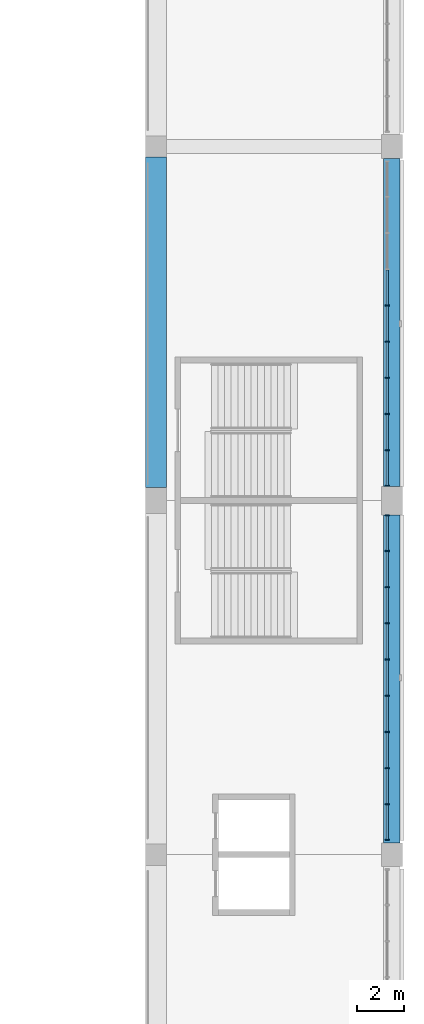
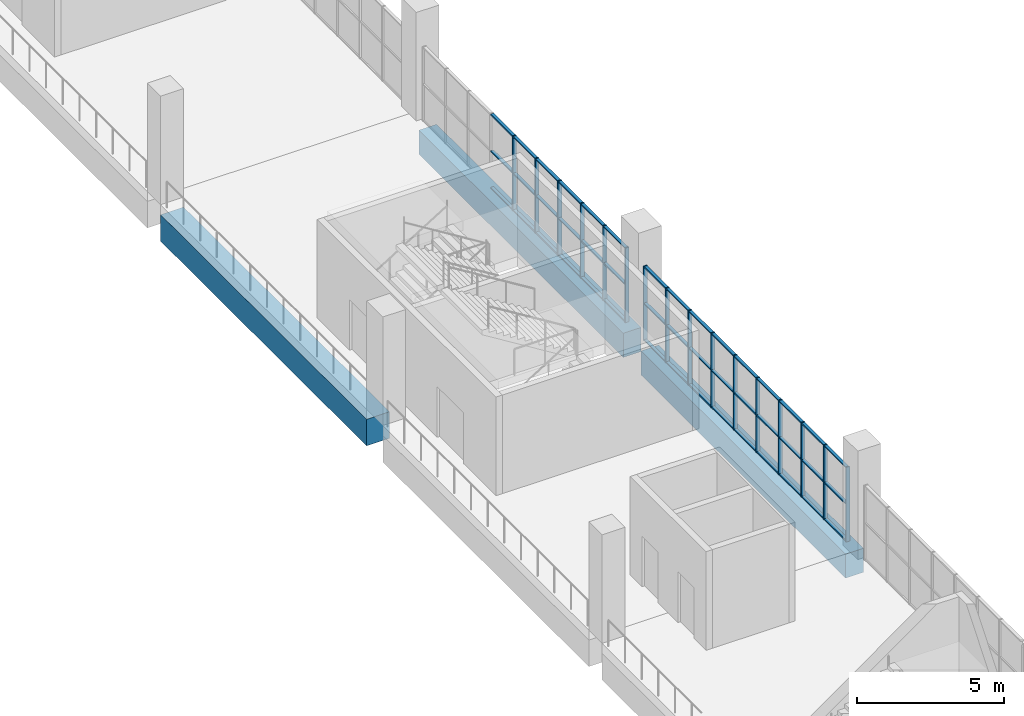
# One storey, part 25 of 177: 61 members, 3 beams, 2 elements without a shape of their own.
"""IFC4 building model written with IfcOpenShell, lengths in metres."""

from ifc_helpers import new_model, si_unit, direction, frame, origin, origin_2d, place, context, subcontext, project, spatial, rectangle, extrude, material, material_profile, profile_set, type_object, element, aggregate, save


model = new_model("IFC4")

# Units and contexts
model_context = context("Model", 3, precision=1e-05, world=origin(), true_north=direction((0.0, 1.0)))
body_context = subcontext(model_context, "Body", "Model", "MODEL_VIEW")
ifc_project = project(units=[si_unit("LENGTHUNIT", "METRE"), si_unit("AREAUNIT", "SQUARE_METRE"), si_unit("VOLUMEUNIT", "CUBIC_METRE"), si_unit("PLANEANGLEUNIT", "RADIAN"), si_unit("MASSUNIT", "GRAM", prefix="KILO")], contexts=[model_context])

# Site, building, storey
site_placement = place(None, origin())
site = spatial("IfcSite", under=ifc_project, at=site_placement, CompositionType="ELEMENT")
building_placement = place(site_placement, origin())
building = spatial("IfcBuilding", under=site, at=building_placement, Name="Ogive Plaza Stadium", CompositionType="ELEMENT")
storey_placement = place(building_placement, frame((0.0, 0.0, 18.0)))
storey = spatial("IfcBuildingStorey", under=building, at=storey_placement, Name="L04", CompositionType="ELEMENT", Elevation=18.0)

# Curtain wall, members
ifc_material_1 = material(Name="Bronze-anodised aluminium with laminated glass", Category="aluminium")
curtain_wall_type = type_object("IfcCurtainWallType", Name="Lancet curtain wall", PredefinedType="NOTDEFINED", material=ifc_material_1)
curtain_wall_1_placement = place(storey_placement, origin())
curtain_wall_1 = element("IfcCurtainWall", 1, at=curtain_wall_1_placement, inside=storey, type_object=curtain_wall_type, Name="CURTAIN WALL B03 L04", PredefinedType="NOTDEFINED")
ifc_material_2 = material(Name="Bronze-anodised aluminium", Category="aluminium")
ifc_material_profile_1 = material_profile(ifc_material_2, rectangle(XDim=0.14990234375, YDim=0.050048828125, at=origin_2d()), Name="AL 150x50")
ifc_profile_set_1 = profile_set([ifc_material_profile_1], Name="Bronze-anodised aluminium")
member_type_1 = type_object("IfcMemberType", Name="Curtain wall mullion 50x150", PredefinedType="MULLION", material=ifc_profile_set_1)
member_1_placement = place(storey_placement, frame((83.800048828125, 15.7666015625, 0.0), z_axis=(0.0, 0.0, 1.0), x_axis=(1.0, 0.0, 0.0)))
member_1 = element("IfcMember", 2, at=member_1_placement, type_object=member_type_1, Name="CW-B03-L04 mullion 5", PredefinedType="MULLION", context=body_context, shape_type="SweptSolid", body=[
    extrude(rectangle(XDim=0.14990234375, YDim=0.050048828125, at=origin_2d()), origin(), (0.0, 0.0, 1.0), 3.090087890625),
])
member_2_placement = place(storey_placement, frame((83.800048828125, 14.2333984375, 0.0), z_axis=(0.0, 0.0, 1.0), x_axis=(1.0, 0.0, 0.0)))
member_2 = element("IfcMember", 3, at=member_2_placement, type_object=member_type_1, Name="CW-B03-L04 mullion 6", PredefinedType="MULLION", context=body_context, shape_type="SweptSolid", body=[
    extrude(rectangle(XDim=0.14990234375, YDim=0.050048828125, at=origin_2d()), origin(), (0.0, 0.0, 1.0), 3.090087890625),
])
member_3_placement = place(storey_placement, frame((83.800048828125, 12.699951171875, 0.0), z_axis=(0.0, 0.0, 1.0), x_axis=(1.0, 0.0, 0.0)))
member_3 = element("IfcMember", 4, at=member_3_placement, type_object=member_type_1, Name="CW-B03-L04 mullion 7", PredefinedType="MULLION", context=body_context, shape_type="SweptSolid", body=[
    extrude(rectangle(XDim=0.14990234375, YDim=0.050048828125, at=origin_2d()), origin(), (0.0, 0.0, 1.0), 3.090087890625),
])
member_4_placement = place(storey_placement, frame((83.800048828125, 11.166748046875, 0.0), z_axis=(0.0, 0.0, 1.0), x_axis=(1.0, 0.0, 0.0)))
member_4 = element("IfcMember", 5, at=member_4_placement, type_object=member_type_1, Name="CW-B03-L04 mullion 8", PredefinedType="MULLION", context=body_context, shape_type="SweptSolid", body=[
    extrude(rectangle(XDim=0.14990234375, YDim=0.050048828125, at=origin_2d()), origin(), (0.0, 0.0, 1.0), 3.090087890625),
])
member_5_placement = place(storey_placement, frame((83.800048828125, 9.63330078125, 0.0), z_axis=(0.0, 0.0, 1.0), x_axis=(1.0, 0.0, 0.0)))
member_5 = element("IfcMember", 6, at=member_5_placement, type_object=member_type_1, Name="CW-B03-L04 mullion 9", PredefinedType="MULLION", context=body_context, shape_type="SweptSolid", body=[
    extrude(rectangle(XDim=0.14990234375, YDim=0.050048828125, at=origin_2d()), origin(), (0.0, 0.0, 1.0), 3.090087890625),
])
member_6_placement = place(storey_placement, frame((83.800048828125, 8.125, 0.0), z_axis=(0.0, 0.0, 1.0), x_axis=(1.0, 0.0, 0.0)))
member_6 = element("IfcMember", 7, at=member_6_placement, type_object=member_type_1, Name="CW-B03-L04 mullion 10", PredefinedType="MULLION", context=body_context, shape_type="SweptSolid", body=[
    extrude(rectangle(XDim=0.14990234375, YDim=0.050048828125, at=origin_2d()), origin(), (0.0, 0.0, 1.0), 3.090087890625),
])

curtain_wall_2_placement = place(storey_placement, origin())
curtain_wall_2 = element("IfcCurtainWall", 8, at=curtain_wall_2_placement, inside=storey, type_object=curtain_wall_type, Name="CURTAIN WALL B04 L04", PredefinedType="NOTDEFINED")
member_7_placement = place(storey_placement, frame((83.800048828125, 6.875, 0.0), z_axis=(0.0, 0.0, 1.0), x_axis=(1.0, 0.0, 0.0)))
member_7 = element("IfcMember", 9, at=member_7_placement, type_object=member_type_1, Name="CW-B04-L04 mullion 1", PredefinedType="MULLION", context=body_context, shape_type="SweptSolid", body=[
    extrude(rectangle(XDim=0.14990234375, YDim=0.050048828125, at=origin_2d()), origin(), (0.0, 0.0, 1.0), 3.090087890625),
])
member_8_placement = place(storey_placement, frame((83.800048828125, 5.36669921875, 0.0), z_axis=(0.0, 0.0, 1.0), x_axis=(1.0, 0.0, 0.0)))
member_8 = element("IfcMember", 10, at=member_8_placement, type_object=member_type_1, Name="CW-B04-L04 mullion 2", PredefinedType="MULLION", context=body_context, shape_type="SweptSolid", body=[
    extrude(rectangle(XDim=0.14990234375, YDim=0.050048828125, at=origin_2d()), origin(), (0.0, 0.0, 1.0), 3.090087890625),
])
member_9_placement = place(storey_placement, frame((83.800048828125, 3.833251953125, 0.0), z_axis=(0.0, 0.0, 1.0), x_axis=(1.0, 0.0, 0.0)))
member_9 = element("IfcMember", 11, at=member_9_placement, type_object=member_type_1, Name="CW-B04-L04 mullion 3", PredefinedType="MULLION", context=body_context, shape_type="SweptSolid", body=[
    extrude(rectangle(XDim=0.14990234375, YDim=0.050048828125, at=origin_2d()), origin(), (0.0, 0.0, 1.0), 3.090087890625),
])
member_10_placement = place(storey_placement, frame((83.800048828125, 2.300048828125, 0.0), z_axis=(0.0, 0.0, 1.0), x_axis=(1.0, 0.0, 0.0)))
member_10 = element("IfcMember", 12, at=member_10_placement, type_object=member_type_1, Name="CW-B04-L04 mullion 4", PredefinedType="MULLION", context=body_context, shape_type="SweptSolid", body=[
    extrude(rectangle(XDim=0.14990234375, YDim=0.050048828125, at=origin_2d()), origin(), (0.0, 0.0, 1.0), 3.090087890625),
])
member_11_placement = place(storey_placement, frame((83.800048828125, 0.7666015625, 0.0), z_axis=(0.0, 0.0, 1.0), x_axis=(1.0, 0.0, 0.0)))
member_11 = element("IfcMember", 13, at=member_11_placement, type_object=member_type_1, Name="CW-B04-L04 mullion 5", PredefinedType="MULLION", context=body_context, shape_type="SweptSolid", body=[
    extrude(rectangle(XDim=0.14990234375, YDim=0.050048828125, at=origin_2d()), origin(), (0.0, 0.0, 1.0), 3.090087890625),
])
member_12_placement = place(storey_placement, frame((83.800048828125, -0.7666015625, 0.0), z_axis=(0.0, 0.0, 1.0), x_axis=(1.0, 0.0, 0.0)))
member_12 = element("IfcMember", 14, at=member_12_placement, type_object=member_type_1, Name="CW-B04-L04 mullion 6", PredefinedType="MULLION", context=body_context, shape_type="SweptSolid", body=[
    extrude(rectangle(XDim=0.14990234375, YDim=0.050048828125, at=origin_2d()), origin(), (0.0, 0.0, 1.0), 3.090087890625),
])
member_13_placement = place(storey_placement, frame((83.800048828125, -2.300048828125, 0.0), z_axis=(0.0, 0.0, 1.0), x_axis=(1.0, 0.0, 0.0)))
member_13 = element("IfcMember", 15, at=member_13_placement, type_object=member_type_1, Name="CW-B04-L04 mullion 7", PredefinedType="MULLION", context=body_context, shape_type="SweptSolid", body=[
    extrude(rectangle(XDim=0.14990234375, YDim=0.050048828125, at=origin_2d()), origin(), (0.0, 0.0, 1.0), 3.090087890625),
])
member_14_placement = place(storey_placement, frame((83.800048828125, -3.833251953125, 0.0), z_axis=(0.0, 0.0, 1.0), x_axis=(1.0, 0.0, 0.0)))
member_14 = element("IfcMember", 16, at=member_14_placement, type_object=member_type_1, Name="CW-B04-L04 mullion 8", PredefinedType="MULLION", context=body_context, shape_type="SweptSolid", body=[
    extrude(rectangle(XDim=0.14990234375, YDim=0.050048828125, at=origin_2d()), origin(), (0.0, 0.0, 1.0), 3.090087890625),
])
member_15_placement = place(storey_placement, frame((83.800048828125, -5.36669921875, 0.0), z_axis=(0.0, 0.0, 1.0), x_axis=(1.0, 0.0, 0.0)))
member_15 = element("IfcMember", 17, at=member_15_placement, type_object=member_type_1, Name="CW-B04-L04 mullion 9", PredefinedType="MULLION", context=body_context, shape_type="SweptSolid", body=[
    extrude(rectangle(XDim=0.14990234375, YDim=0.050048828125, at=origin_2d()), origin(), (0.0, 0.0, 1.0), 3.090087890625),
])
member_16_placement = place(storey_placement, frame((83.800048828125, -6.875, 0.0), z_axis=(0.0, 0.0, 1.0), x_axis=(1.0, 0.0, 0.0)))
member_16 = element("IfcMember", 18, at=member_16_placement, type_object=member_type_1, Name="CW-B04-L04 mullion 10", PredefinedType="MULLION", context=body_context, shape_type="SweptSolid", body=[
    extrude(rectangle(XDim=0.14990234375, YDim=0.050048828125, at=origin_2d()), origin(), (0.0, 0.0, 1.0), 3.090087890625),
])

# Member
ifc_material_3 = material(Name="Bronze-anodised aluminium", Category="aluminium")
ifc_material_profile_2 = material_profile(ifc_material_3, rectangle(XDim=0.1201171875, YDim=0.050048828125, at=origin_2d()), Name="AL 120x50")
ifc_profile_set_2 = profile_set([ifc_material_profile_2], Name="Bronze-anodised aluminium")
member_type_2 = type_object("IfcMemberType", Name="Curtain wall transom 50x120", PredefinedType="USERDEFINED", material=ifc_profile_set_2)
member_17_placement = place(storey_placement, frame((83.800048828125, 17.27490234375, 0.02490234375), z_axis=(0.0, -1.0, 0.0), x_axis=(1.0, 0.0, 0.0)))
member_17 = element("IfcMember", 19, at=member_17_placement, type_object=member_type_2, Name="CW-B03-L04 transom 4.1", ObjectType="TRANSOM", PredefinedType="USERDEFINED", context=body_context, shape_type="SweptSolid", body=[
    extrude(rectangle(XDim=0.1201171875, YDim=0.050048828125, at=origin_2d()), origin(), (0.0, 0.0, 1.0), 1.483154296875),
])

member_18_placement = place(storey_placement, frame((83.800048828125, 17.27490234375, 1.544921875), z_axis=(0.0, -1.0, 0.0), x_axis=(1.0, 0.0, 0.0)))
member_18 = element("IfcMember", 20, at=member_18_placement, type_object=member_type_2, Name="CW-B03-L04 transom 4.2", ObjectType="TRANSOM", PredefinedType="USERDEFINED", context=body_context, shape_type="SweptSolid", body=[
    extrude(rectangle(XDim=0.1201171875, YDim=0.050048828125, at=origin_2d()), origin(), (0.0, 0.0, 1.0), 1.483154296875),
])

member_19_placement = place(storey_placement, frame((83.800048828125, 17.27490234375, 3.06494140625), z_axis=(0.0, -1.0, 0.0), x_axis=(1.0, 0.0, 0.0)))
member_19 = element("IfcMember", 21, at=member_19_placement, type_object=member_type_2, Name="CW-B03-L04 transom 4.3", ObjectType="TRANSOM", PredefinedType="USERDEFINED", context=body_context, shape_type="SweptSolid", body=[
    extrude(rectangle(XDim=0.1201171875, YDim=0.050048828125, at=origin_2d()), origin(), (0.0, 0.0, 1.0), 1.483154296875),
])

member_20_placement = place(storey_placement, frame((83.800048828125, 15.74169921875, 0.02490234375), z_axis=(0.0, -1.0, 0.0), x_axis=(1.0, 0.0, 0.0)))
member_20 = element("IfcMember", 22, at=member_20_placement, type_object=member_type_2, Name="CW-B03-L04 transom 5.1", ObjectType="TRANSOM", PredefinedType="USERDEFINED", context=body_context, shape_type="SweptSolid", body=[
    extrude(rectangle(XDim=0.1201171875, YDim=0.050048828125, at=origin_2d()), origin(), (0.0, 0.0, 1.0), 1.4833984375),
])

member_21_placement = place(storey_placement, frame((83.800048828125, 15.74169921875, 1.544921875), z_axis=(0.0, -1.0, 0.0), x_axis=(1.0, 0.0, 0.0)))
member_21 = element("IfcMember", 23, at=member_21_placement, type_object=member_type_2, Name="CW-B03-L04 transom 5.2", ObjectType="TRANSOM", PredefinedType="USERDEFINED", context=body_context, shape_type="SweptSolid", body=[
    extrude(rectangle(XDim=0.1201171875, YDim=0.050048828125, at=origin_2d()), origin(), (0.0, 0.0, 1.0), 1.4833984375),
])

member_22_placement = place(storey_placement, frame((83.800048828125, 15.74169921875, 3.06494140625), z_axis=(0.0, -1.0, 0.0), x_axis=(1.0, 0.0, 0.0)))
member_22 = element("IfcMember", 24, at=member_22_placement, type_object=member_type_2, Name="CW-B03-L04 transom 5.3", ObjectType="TRANSOM", PredefinedType="USERDEFINED", context=body_context, shape_type="SweptSolid", body=[
    extrude(rectangle(XDim=0.1201171875, YDim=0.050048828125, at=origin_2d()), origin(), (0.0, 0.0, 1.0), 1.4833984375),
])

member_23_placement = place(storey_placement, frame((83.800048828125, 14.208251953125, 0.02490234375), z_axis=(0.0, -1.0, 0.0), x_axis=(1.0, 0.0, 0.0)))
member_23 = element("IfcMember", 25, at=member_23_placement, type_object=member_type_2, Name="CW-B03-L04 transom 6.1", ObjectType="TRANSOM", PredefinedType="USERDEFINED", context=body_context, shape_type="SweptSolid", body=[
    extrude(rectangle(XDim=0.1201171875, YDim=0.050048828125, at=origin_2d()), origin(), (0.0, 0.0, 1.0), 1.483154296875),
])

member_24_placement = place(storey_placement, frame((83.800048828125, 14.208251953125, 1.544921875), z_axis=(0.0, -1.0, 0.0), x_axis=(1.0, 0.0, 0.0)))
member_24 = element("IfcMember", 26, at=member_24_placement, type_object=member_type_2, Name="CW-B03-L04 transom 6.2", ObjectType="TRANSOM", PredefinedType="USERDEFINED", context=body_context, shape_type="SweptSolid", body=[
    extrude(rectangle(XDim=0.1201171875, YDim=0.050048828125, at=origin_2d()), origin(), (0.0, 0.0, 1.0), 1.483154296875),
])

member_25_placement = place(storey_placement, frame((83.800048828125, 14.208251953125, 3.06494140625), z_axis=(0.0, -1.0, 0.0), x_axis=(1.0, 0.0, 0.0)))
member_25 = element("IfcMember", 27, at=member_25_placement, type_object=member_type_2, Name="CW-B03-L04 transom 6.3", ObjectType="TRANSOM", PredefinedType="USERDEFINED", context=body_context, shape_type="SweptSolid", body=[
    extrude(rectangle(XDim=0.1201171875, YDim=0.050048828125, at=origin_2d()), origin(), (0.0, 0.0, 1.0), 1.483154296875),
])

member_26_placement = place(storey_placement, frame((83.800048828125, 12.675048828125, 0.02490234375), z_axis=(0.0, -1.0, 0.0), x_axis=(1.0, 0.0, 0.0)))
member_26 = element("IfcMember", 28, at=member_26_placement, type_object=member_type_2, Name="CW-B03-L04 transom 7.1", ObjectType="TRANSOM", PredefinedType="USERDEFINED", context=body_context, shape_type="SweptSolid", body=[
    extrude(rectangle(XDim=0.1201171875, YDim=0.050048828125, at=origin_2d()), origin(), (0.0, 0.0, 1.0), 1.4833984375),
])

member_27_placement = place(storey_placement, frame((83.800048828125, 12.675048828125, 1.544921875), z_axis=(0.0, -1.0, 0.0), x_axis=(1.0, 0.0, 0.0)))
member_27 = element("IfcMember", 29, at=member_27_placement, type_object=member_type_2, Name="CW-B03-L04 transom 7.2", ObjectType="TRANSOM", PredefinedType="USERDEFINED", context=body_context, shape_type="SweptSolid", body=[
    extrude(rectangle(XDim=0.1201171875, YDim=0.050048828125, at=origin_2d()), origin(), (0.0, 0.0, 1.0), 1.4833984375),
])

member_28_placement = place(storey_placement, frame((83.800048828125, 12.675048828125, 3.06494140625), z_axis=(0.0, -1.0, 0.0), x_axis=(1.0, 0.0, 0.0)))
member_28 = element("IfcMember", 30, at=member_28_placement, type_object=member_type_2, Name="CW-B03-L04 transom 7.3", ObjectType="TRANSOM", PredefinedType="USERDEFINED", context=body_context, shape_type="SweptSolid", body=[
    extrude(rectangle(XDim=0.1201171875, YDim=0.050048828125, at=origin_2d()), origin(), (0.0, 0.0, 1.0), 1.4833984375),
])

member_29_placement = place(storey_placement, frame((83.800048828125, 11.1416015625, 0.02490234375), z_axis=(0.0, -1.0, 0.0), x_axis=(1.0, 0.0, 0.0)))
member_29 = element("IfcMember", 31, at=member_29_placement, type_object=member_type_2, Name="CW-B03-L04 transom 8.1", ObjectType="TRANSOM", PredefinedType="USERDEFINED", context=body_context, shape_type="SweptSolid", body=[
    extrude(rectangle(XDim=0.1201171875, YDim=0.050048828125, at=origin_2d()), origin(), (0.0, 0.0, 1.0), 1.483154296875),
])

member_30_placement = place(storey_placement, frame((83.800048828125, 11.1416015625, 1.544921875), z_axis=(0.0, -1.0, 0.0), x_axis=(1.0, 0.0, 0.0)))
member_30 = element("IfcMember", 32, at=member_30_placement, type_object=member_type_2, Name="CW-B03-L04 transom 8.2", ObjectType="TRANSOM", PredefinedType="USERDEFINED", context=body_context, shape_type="SweptSolid", body=[
    extrude(rectangle(XDim=0.1201171875, YDim=0.050048828125, at=origin_2d()), origin(), (0.0, 0.0, 1.0), 1.483154296875),
])

member_31_placement = place(storey_placement, frame((83.800048828125, 11.1416015625, 3.06494140625), z_axis=(0.0, -1.0, 0.0), x_axis=(1.0, 0.0, 0.0)))
member_31 = element("IfcMember", 33, at=member_31_placement, type_object=member_type_2, Name="CW-B03-L04 transom 8.3", ObjectType="TRANSOM", PredefinedType="USERDEFINED", context=body_context, shape_type="SweptSolid", body=[
    extrude(rectangle(XDim=0.1201171875, YDim=0.050048828125, at=origin_2d()), origin(), (0.0, 0.0, 1.0), 1.483154296875),
])

member_32_placement = place(storey_placement, frame((83.800048828125, 9.6083984375, 0.02490234375), z_axis=(0.0, -1.0, 0.0), x_axis=(1.0, 0.0, 0.0)))
member_32 = element("IfcMember", 34, at=member_32_placement, type_object=member_type_2, Name="CW-B03-L04 transom 9.1", ObjectType="TRANSOM", PredefinedType="USERDEFINED", context=body_context, shape_type="SweptSolid", body=[
    extrude(rectangle(XDim=0.1201171875, YDim=0.050048828125, at=origin_2d()), origin(), (0.0, 0.0, 1.0), 1.45849609375),
])

member_33_placement = place(storey_placement, frame((83.800048828125, 9.6083984375, 1.544921875), z_axis=(0.0, -1.0, 0.0), x_axis=(1.0, 0.0, 0.0)))
member_33 = element("IfcMember", 35, at=member_33_placement, type_object=member_type_2, Name="CW-B03-L04 transom 9.2", ObjectType="TRANSOM", PredefinedType="USERDEFINED", context=body_context, shape_type="SweptSolid", body=[
    extrude(rectangle(XDim=0.1201171875, YDim=0.050048828125, at=origin_2d()), origin(), (0.0, 0.0, 1.0), 1.45849609375),
])

member_34_placement = place(storey_placement, frame((83.800048828125, 9.6083984375, 3.06494140625), z_axis=(0.0, -1.0, 0.0), x_axis=(1.0, 0.0, 0.0)))
member_34 = element("IfcMember", 36, at=member_34_placement, type_object=member_type_2, Name="CW-B03-L04 transom 9.3", ObjectType="TRANSOM", PredefinedType="USERDEFINED", context=body_context, shape_type="SweptSolid", body=[
    extrude(rectangle(XDim=0.1201171875, YDim=0.050048828125, at=origin_2d()), origin(), (0.0, 0.0, 1.0), 1.45849609375),
])

aggregate(curtain_wall_1, [member_1, member_2, member_3, member_4, member_5, member_6, member_17, member_18, member_19, member_20, member_21, member_22, member_23, member_24, member_25, member_26, member_27, member_28, member_29, member_30, member_31, member_32, member_33, member_34])

member_35_placement = place(storey_placement, frame((83.800048828125, 6.85009765625, 0.02490234375), z_axis=(0.0, -1.0, 0.0), x_axis=(1.0, 0.0, 0.0)))
member_35 = element("IfcMember", 37, at=member_35_placement, type_object=member_type_2, Name="CW-B04-L04 transom 1.1", ObjectType="TRANSOM", PredefinedType="USERDEFINED", context=body_context, shape_type="SweptSolid", body=[
    extrude(rectangle(XDim=0.1201171875, YDim=0.050048828125, at=origin_2d()), origin(), (0.0, 0.0, 1.0), 1.45849609375),
])

member_36_placement = place(storey_placement, frame((83.800048828125, 6.85009765625, 1.544921875), z_axis=(0.0, -1.0, 0.0), x_axis=(1.0, 0.0, 0.0)))
member_36 = element("IfcMember", 38, at=member_36_placement, type_object=member_type_2, Name="CW-B04-L04 transom 1.2", ObjectType="TRANSOM", PredefinedType="USERDEFINED", context=body_context, shape_type="SweptSolid", body=[
    extrude(rectangle(XDim=0.1201171875, YDim=0.050048828125, at=origin_2d()), origin(), (0.0, 0.0, 1.0), 1.45849609375),
])

member_37_placement = place(storey_placement, frame((83.800048828125, 6.85009765625, 3.06494140625), z_axis=(0.0, -1.0, 0.0), x_axis=(1.0, 0.0, 0.0)))
member_37 = element("IfcMember", 39, at=member_37_placement, type_object=member_type_2, Name="CW-B04-L04 transom 1.3", ObjectType="TRANSOM", PredefinedType="USERDEFINED", context=body_context, shape_type="SweptSolid", body=[
    extrude(rectangle(XDim=0.1201171875, YDim=0.050048828125, at=origin_2d()), origin(), (0.0, 0.0, 1.0), 1.45849609375),
])

member_38_placement = place(storey_placement, frame((83.800048828125, 5.341552734375, 0.02490234375), z_axis=(0.0, -1.0, 0.0), x_axis=(1.0, 0.0, 0.0)))
member_38 = element("IfcMember", 40, at=member_38_placement, type_object=member_type_2, Name="CW-B04-L04 transom 2.1", ObjectType="TRANSOM", PredefinedType="USERDEFINED", context=body_context, shape_type="SweptSolid", body=[
    extrude(rectangle(XDim=0.1201171875, YDim=0.050048828125, at=origin_2d()), origin(), (0.0, 0.0, 1.0), 1.483154296875),
])

member_39_placement = place(storey_placement, frame((83.800048828125, 5.341552734375, 1.544921875), z_axis=(0.0, -1.0, 0.0), x_axis=(1.0, 0.0, 0.0)))
member_39 = element("IfcMember", 41, at=member_39_placement, type_object=member_type_2, Name="CW-B04-L04 transom 2.2", ObjectType="TRANSOM", PredefinedType="USERDEFINED", context=body_context, shape_type="SweptSolid", body=[
    extrude(rectangle(XDim=0.1201171875, YDim=0.050048828125, at=origin_2d()), origin(), (0.0, 0.0, 1.0), 1.483154296875),
])

member_40_placement = place(storey_placement, frame((83.800048828125, 5.341552734375, 3.06494140625), z_axis=(0.0, -1.0, 0.0), x_axis=(1.0, 0.0, 0.0)))
member_40 = element("IfcMember", 42, at=member_40_placement, type_object=member_type_2, Name="CW-B04-L04 transom 2.3", ObjectType="TRANSOM", PredefinedType="USERDEFINED", context=body_context, shape_type="SweptSolid", body=[
    extrude(rectangle(XDim=0.1201171875, YDim=0.050048828125, at=origin_2d()), origin(), (0.0, 0.0, 1.0), 1.483154296875),
])

member_41_placement = place(storey_placement, frame((83.800048828125, 3.808349609375, 0.02490234375), z_axis=(0.0, -1.0, 0.0), x_axis=(1.0, 0.0, 0.0)))
member_41 = element("IfcMember", 43, at=member_41_placement, type_object=member_type_2, Name="CW-B04-L04 transom 3.1", ObjectType="TRANSOM", PredefinedType="USERDEFINED", context=body_context, shape_type="SweptSolid", body=[
    extrude(rectangle(XDim=0.1201171875, YDim=0.050048828125, at=origin_2d()), origin(), (0.0, 0.0, 1.0), 1.4833984375),
])

member_42_placement = place(storey_placement, frame((83.800048828125, 3.808349609375, 1.544921875), z_axis=(0.0, -1.0, 0.0), x_axis=(1.0, 0.0, 0.0)))
member_42 = element("IfcMember", 44, at=member_42_placement, type_object=member_type_2, Name="CW-B04-L04 transom 3.2", ObjectType="TRANSOM", PredefinedType="USERDEFINED", context=body_context, shape_type="SweptSolid", body=[
    extrude(rectangle(XDim=0.1201171875, YDim=0.050048828125, at=origin_2d()), origin(), (0.0, 0.0, 1.0), 1.4833984375),
])

member_43_placement = place(storey_placement, frame((83.800048828125, 3.808349609375, 3.06494140625), z_axis=(0.0, -1.0, 0.0), x_axis=(1.0, 0.0, 0.0)))
member_43 = element("IfcMember", 45, at=member_43_placement, type_object=member_type_2, Name="CW-B04-L04 transom 3.3", ObjectType="TRANSOM", PredefinedType="USERDEFINED", context=body_context, shape_type="SweptSolid", body=[
    extrude(rectangle(XDim=0.1201171875, YDim=0.050048828125, at=origin_2d()), origin(), (0.0, 0.0, 1.0), 1.4833984375),
])

member_44_placement = place(storey_placement, frame((83.800048828125, 2.27490234375, 0.02490234375), z_axis=(0.0, -1.0, 0.0), x_axis=(1.0, 0.0, 0.0)))
member_44 = element("IfcMember", 46, at=member_44_placement, type_object=member_type_2, Name="CW-B04-L04 transom 4.1", ObjectType="TRANSOM", PredefinedType="USERDEFINED", context=body_context, shape_type="SweptSolid", body=[
    extrude(rectangle(XDim=0.1201171875, YDim=0.050048828125, at=origin_2d()), origin(), (0.0, 0.0, 1.0), 1.483154296875),
])

member_45_placement = place(storey_placement, frame((83.800048828125, 2.27490234375, 1.544921875), z_axis=(0.0, -1.0, 0.0), x_axis=(1.0, 0.0, 0.0)))
member_45 = element("IfcMember", 47, at=member_45_placement, type_object=member_type_2, Name="CW-B04-L04 transom 4.2", ObjectType="TRANSOM", PredefinedType="USERDEFINED", context=body_context, shape_type="SweptSolid", body=[
    extrude(rectangle(XDim=0.1201171875, YDim=0.050048828125, at=origin_2d()), origin(), (0.0, 0.0, 1.0), 1.483154296875),
])

member_46_placement = place(storey_placement, frame((83.800048828125, 2.27490234375, 3.06494140625), z_axis=(0.0, -1.0, 0.0), x_axis=(1.0, 0.0, 0.0)))
member_46 = element("IfcMember", 48, at=member_46_placement, type_object=member_type_2, Name="CW-B04-L04 transom 4.3", ObjectType="TRANSOM", PredefinedType="USERDEFINED", context=body_context, shape_type="SweptSolid", body=[
    extrude(rectangle(XDim=0.1201171875, YDim=0.050048828125, at=origin_2d()), origin(), (0.0, 0.0, 1.0), 1.483154296875),
])

member_47_placement = place(storey_placement, frame((83.800048828125, 0.74169921875, 0.02490234375), z_axis=(0.0, -1.0, 0.0), x_axis=(1.0, 0.0, 0.0)))
member_47 = element("IfcMember", 49, at=member_47_placement, type_object=member_type_2, Name="CW-B04-L04 transom 5.1", ObjectType="TRANSOM", PredefinedType="USERDEFINED", context=body_context, shape_type="SweptSolid", body=[
    extrude(rectangle(XDim=0.1201171875, YDim=0.050048828125, at=origin_2d()), origin(), (0.0, 0.0, 1.0), 1.4833984375),
])

member_48_placement = place(storey_placement, frame((83.800048828125, 0.74169921875, 1.544921875), z_axis=(0.0, -1.0, 0.0), x_axis=(1.0, 0.0, 0.0)))
member_48 = element("IfcMember", 50, at=member_48_placement, type_object=member_type_2, Name="CW-B04-L04 transom 5.2", ObjectType="TRANSOM", PredefinedType="USERDEFINED", context=body_context, shape_type="SweptSolid", body=[
    extrude(rectangle(XDim=0.1201171875, YDim=0.050048828125, at=origin_2d()), origin(), (0.0, 0.0, 1.0), 1.4833984375),
])

member_49_placement = place(storey_placement, frame((83.800048828125, 0.74169921875, 3.06494140625), z_axis=(0.0, -1.0, 0.0), x_axis=(1.0, 0.0, 0.0)))
member_49 = element("IfcMember", 51, at=member_49_placement, type_object=member_type_2, Name="CW-B04-L04 transom 5.3", ObjectType="TRANSOM", PredefinedType="USERDEFINED", context=body_context, shape_type="SweptSolid", body=[
    extrude(rectangle(XDim=0.1201171875, YDim=0.050048828125, at=origin_2d()), origin(), (0.0, 0.0, 1.0), 1.4833984375),
])

member_50_placement = place(storey_placement, frame((83.800048828125, -0.791748046875, 0.02490234375), z_axis=(0.0, -1.0, 0.0), x_axis=(1.0, 0.0, 0.0)))
member_50 = element("IfcMember", 52, at=member_50_placement, type_object=member_type_2, Name="CW-B04-L04 transom 6.1", ObjectType="TRANSOM", PredefinedType="USERDEFINED", context=body_context, shape_type="SweptSolid", body=[
    extrude(rectangle(XDim=0.1201171875, YDim=0.050048828125, at=origin_2d()), origin(), (0.0, 0.0, 1.0), 1.483154296875),
])

member_51_placement = place(storey_placement, frame((83.800048828125, -0.791748046875, 1.544921875), z_axis=(0.0, -1.0, 0.0), x_axis=(1.0, 0.0, 0.0)))
member_51 = element("IfcMember", 53, at=member_51_placement, type_object=member_type_2, Name="CW-B04-L04 transom 6.2", ObjectType="TRANSOM", PredefinedType="USERDEFINED", context=body_context, shape_type="SweptSolid", body=[
    extrude(rectangle(XDim=0.1201171875, YDim=0.050048828125, at=origin_2d()), origin(), (0.0, 0.0, 1.0), 1.483154296875),
])

member_52_placement = place(storey_placement, frame((83.800048828125, -0.791748046875, 3.06494140625), z_axis=(0.0, -1.0, 0.0), x_axis=(1.0, 0.0, 0.0)))
member_52 = element("IfcMember", 54, at=member_52_placement, type_object=member_type_2, Name="CW-B04-L04 transom 6.3", ObjectType="TRANSOM", PredefinedType="USERDEFINED", context=body_context, shape_type="SweptSolid", body=[
    extrude(rectangle(XDim=0.1201171875, YDim=0.050048828125, at=origin_2d()), origin(), (0.0, 0.0, 1.0), 1.483154296875),
])

member_53_placement = place(storey_placement, frame((83.800048828125, -2.324951171875, 0.02490234375), z_axis=(0.0, -1.0, 0.0), x_axis=(1.0, 0.0, 0.0)))
member_53 = element("IfcMember", 55, at=member_53_placement, type_object=member_type_2, Name="CW-B04-L04 transom 7.1", ObjectType="TRANSOM", PredefinedType="USERDEFINED", context=body_context, shape_type="SweptSolid", body=[
    extrude(rectangle(XDim=0.1201171875, YDim=0.050048828125, at=origin_2d()), origin(), (0.0, 0.0, 1.0), 1.4833984375),
])

member_54_placement = place(storey_placement, frame((83.800048828125, -2.324951171875, 1.544921875), z_axis=(0.0, -1.0, 0.0), x_axis=(1.0, 0.0, 0.0)))
member_54 = element("IfcMember", 56, at=member_54_placement, type_object=member_type_2, Name="CW-B04-L04 transom 7.2", ObjectType="TRANSOM", PredefinedType="USERDEFINED", context=body_context, shape_type="SweptSolid", body=[
    extrude(rectangle(XDim=0.1201171875, YDim=0.050048828125, at=origin_2d()), origin(), (0.0, 0.0, 1.0), 1.4833984375),
])

member_55_placement = place(storey_placement, frame((83.800048828125, -2.324951171875, 3.06494140625), z_axis=(0.0, -1.0, 0.0), x_axis=(1.0, 0.0, 0.0)))
member_55 = element("IfcMember", 57, at=member_55_placement, type_object=member_type_2, Name="CW-B04-L04 transom 7.3", ObjectType="TRANSOM", PredefinedType="USERDEFINED", context=body_context, shape_type="SweptSolid", body=[
    extrude(rectangle(XDim=0.1201171875, YDim=0.050048828125, at=origin_2d()), origin(), (0.0, 0.0, 1.0), 1.4833984375),
])

member_56_placement = place(storey_placement, frame((83.800048828125, -3.8583984375, 0.02490234375), z_axis=(0.0, -1.0, 0.0), x_axis=(1.0, 0.0, 0.0)))
member_56 = element("IfcMember", 58, at=member_56_placement, type_object=member_type_2, Name="CW-B04-L04 transom 8.1", ObjectType="TRANSOM", PredefinedType="USERDEFINED", context=body_context, shape_type="SweptSolid", body=[
    extrude(rectangle(XDim=0.1201171875, YDim=0.050048828125, at=origin_2d()), origin(), (0.0, 0.0, 1.0), 1.483154296875),
])

member_57_placement = place(storey_placement, frame((83.800048828125, -3.8583984375, 1.544921875), z_axis=(0.0, -1.0, 0.0), x_axis=(1.0, 0.0, 0.0)))
member_57 = element("IfcMember", 59, at=member_57_placement, type_object=member_type_2, Name="CW-B04-L04 transom 8.2", ObjectType="TRANSOM", PredefinedType="USERDEFINED", context=body_context, shape_type="SweptSolid", body=[
    extrude(rectangle(XDim=0.1201171875, YDim=0.050048828125, at=origin_2d()), origin(), (0.0, 0.0, 1.0), 1.483154296875),
])

member_58_placement = place(storey_placement, frame((83.800048828125, -3.8583984375, 3.06494140625), z_axis=(0.0, -1.0, 0.0), x_axis=(1.0, 0.0, 0.0)))
member_58 = element("IfcMember", 60, at=member_58_placement, type_object=member_type_2, Name="CW-B04-L04 transom 8.3", ObjectType="TRANSOM", PredefinedType="USERDEFINED", context=body_context, shape_type="SweptSolid", body=[
    extrude(rectangle(XDim=0.1201171875, YDim=0.050048828125, at=origin_2d()), origin(), (0.0, 0.0, 1.0), 1.483154296875),
])

member_59_placement = place(storey_placement, frame((83.800048828125, -5.3916015625, 0.02490234375), z_axis=(0.0, -1.0, 0.0), x_axis=(1.0, 0.0, 0.0)))
member_59 = element("IfcMember", 61, at=member_59_placement, type_object=member_type_2, Name="CW-B04-L04 transom 9.1", ObjectType="TRANSOM", PredefinedType="USERDEFINED", context=body_context, shape_type="SweptSolid", body=[
    extrude(rectangle(XDim=0.1201171875, YDim=0.050048828125, at=origin_2d()), origin(), (0.0, 0.0, 1.0), 1.45849609375),
])

member_60_placement = place(storey_placement, frame((83.800048828125, -5.3916015625, 1.544921875), z_axis=(0.0, -1.0, 0.0), x_axis=(1.0, 0.0, 0.0)))
member_60 = element("IfcMember", 62, at=member_60_placement, type_object=member_type_2, Name="CW-B04-L04 transom 9.2", ObjectType="TRANSOM", PredefinedType="USERDEFINED", context=body_context, shape_type="SweptSolid", body=[
    extrude(rectangle(XDim=0.1201171875, YDim=0.050048828125, at=origin_2d()), origin(), (0.0, 0.0, 1.0), 1.45849609375),
])

member_61_placement = place(storey_placement, frame((83.800048828125, -5.3916015625, 3.06494140625), z_axis=(0.0, -1.0, 0.0), x_axis=(1.0, 0.0, 0.0)))
member_61 = element("IfcMember", 63, at=member_61_placement, type_object=member_type_2, Name="CW-B04-L04 transom 9.3", ObjectType="TRANSOM", PredefinedType="USERDEFINED", context=body_context, shape_type="SweptSolid", body=[
    extrude(rectangle(XDim=0.1201171875, YDim=0.050048828125, at=origin_2d()), origin(), (0.0, 0.0, 1.0), 1.45849609375),
])

aggregate(curtain_wall_2, [member_7, member_8, member_9, member_10, member_11, member_12, member_13, member_14, member_15, member_16, member_35, member_36, member_37, member_38, member_39, member_40, member_41, member_42, member_43, member_44, member_45, member_46, member_47, member_48, member_49, member_50, member_51, member_52, member_53, member_54, member_55, member_56, member_57, member_58, member_59, member_60, member_61])

# Beams
ifc_material_4 = material(Name="Concrete C40/50", Category="concrete")
ifc_material_profile_3 = material_profile(ifc_material_4, rectangle(XDim=0.89990234375, YDim=1.10009765625, at=origin_2d()), Name="RC 900x1100")
ifc_profile_set_3 = profile_set([ifc_material_profile_3], Name="Concrete C40/50")
beam_type_1 = type_object("IfcBeamType", Name="RC ring beam 900x1100", PredefinedType="BEAM", material=ifc_profile_set_3)
beam_placement = place(storey_placement, frame((74.0, 22.050048828125, -0.9599609375), z_axis=(0.0, -1.0, 0.0), x_axis=(1.0, 0.0, 0.0)))
element("IfcBeam", 64, at=beam_placement, inside=storey, type_object=beam_type_1, Name="Ring beam F4 L04 B03", PredefinedType="BEAM", context=body_context, shape_type="SweptSolid", body=[
    extrude(rectangle(XDim=0.89990234375, YDim=1.10009765625, at=origin_2d()), origin(), (0.0, 0.0, 1.0), 14.0),
])
ifc_material_5 = material(Name="Concrete C40/50", Category="concrete")
ifc_material_profile_4 = material_profile(ifc_material_5, rectangle(XDim=0.699951171875, YDim=1.0, at=origin_2d()), Name="RC 700x1000")
ifc_profile_set_4 = profile_set([ifc_material_profile_4], Name="Concrete C40/50")
beam_type_2 = type_object("IfcBeamType", Name="RC spandrel beam 700x1000", PredefinedType="SPANDREL", material=ifc_profile_set_4)
for number, where, z_axis, x_axis, name in (
    (65, (84.0, 22.0, -0.909912109375), (0.0, -1.0, 0.0), (1.0, 0.0, 0.0), "Ring beam F5 L04 B03"),
    (66, (84.0, 6.89990234375, -0.909912109375), (0.0, -1.0, 0.0), (1.0, 0.0, 0.0), "Ring beam F5 L04 B04"),
):
    element("IfcBeam", number, at=place(storey_placement, frame(where, z_axis=z_axis, x_axis=x_axis)), inside=storey, type_object=beam_type_2, Name=name, PredefinedType="SPANDREL", context=body_context, shape_type="SweptSolid", body=[
        extrude(rectangle(XDim=0.699951171875, YDim=1.0, at=origin_2d()), origin(), (0.0, 0.0, 1.0), 13.89990234375),
    ])

save(model, "model.ifc")
